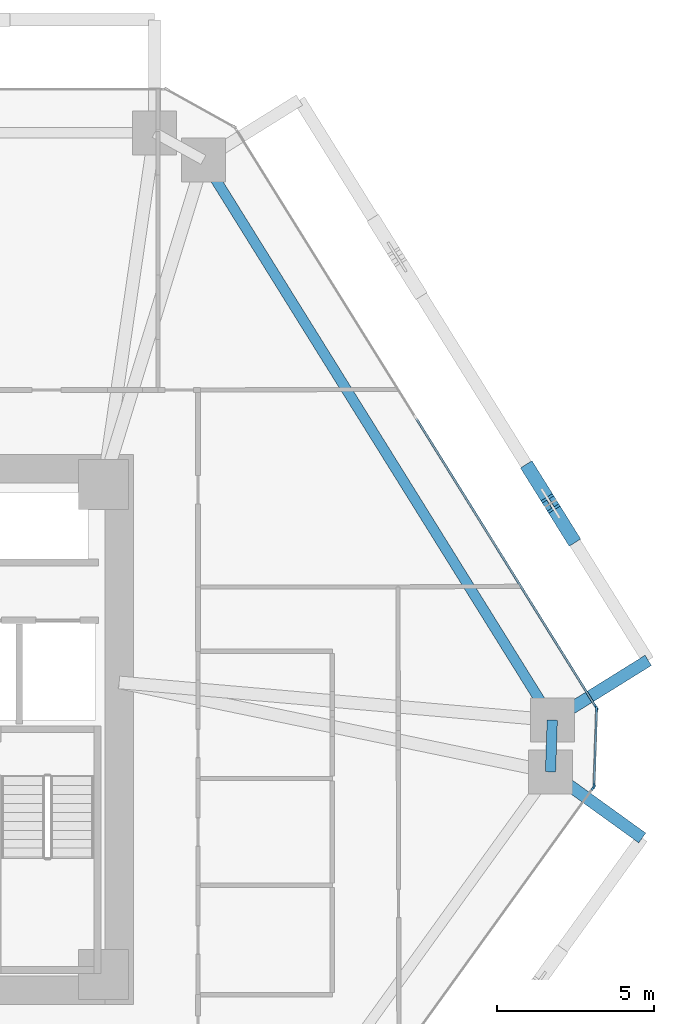
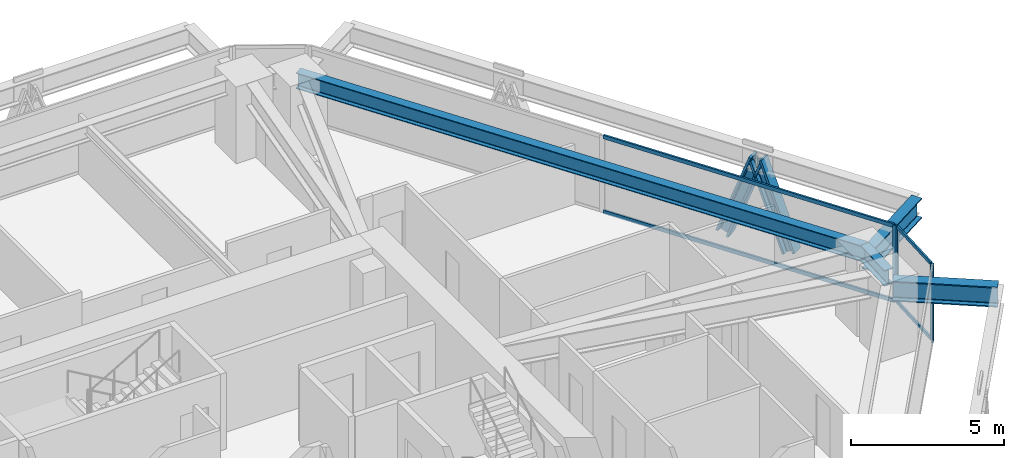
# One storey, part 6 of 17: 10 members, 4 beams, 3 elements without a shape of their own.
"""IFC4 building model written with IfcOpenShell, lengths in metres."""

import ifcopenshell
import ifcopenshell.guid

model = None  # the IFC model being written
_history = None  # IfcOwnerHistory: only IFC2X3 demands one
_inside = {}  # id of a spatial element -> (the spatial element, [elements in it])
_under = {}  # id of a project, library or spatial element -> (it, [spatial elements below it])
_declared = {}  # id of a project -> (the project, [libraries it declares])
_typed = {}  # id of a type object -> (the type object, [elements of that type])
_made_of = {}  # id of a material, layer set ... -> (it, [elements and type objects made of it])


def new_model(schema):
    """Start an empty IFC model of exactly this schema.

    Asked for "IFC4X3", IfcOpenShell would pick the latest addendum, in which some entities
    have other attributes; the version numbers below select the first issue.
    IFC2X3 requires an IfcOwnerHistory on every rooted entity: one is made here for all.
    """
    global model, _history
    if schema == "IFC4X3":
        model = ifcopenshell.file(schema_version=(4, 3, 0, 0))
    else:
        model = ifcopenshell.file(schema=schema)
    _inside.clear()
    _under.clear()
    _declared.clear()
    _typed.clear()
    _made_of.clear()
    _history = None
    if model.schema == "IFC2X3":
        org = make("IfcOrganization", Name="unknown")
        user = make(
            "IfcPersonAndOrganization",
            ThePerson=make("IfcPerson", FamilyName="unknown"),
            TheOrganization=org,
        )
        app = make(
            "IfcApplication",
            ApplicationDeveloper=org,
            Version="unknown",
            ApplicationFullName="unknown",
            ApplicationIdentifier="unknown",
        )
        _history = make(
            "IfcOwnerHistory",
            OwningUser=user,
            OwningApplication=app,
            ChangeAction="ADDED",
            CreationDate=0,
        )
    return model


def make(cls, **values):
    """One entity of the class cls with the attributes given. An attribute that is None is left unset."""
    return model.create_entity(
        cls, **{name: value for name, value in values.items() if value is not None}
    )


def rooted(cls, **values):
    """An entity with a GlobalId (a new one), such as an element, a storey or a relation."""
    return make(cls, GlobalId=ifcopenshell.guid.new(), OwnerHistory=_history, **values)


def si_unit(unit_type, name, prefix=None):
    """IfcSIUnit, for example si_unit("LENGTHUNIT", "METRE", prefix="MILLI")."""
    return make("IfcSIUnit", UnitType=unit_type, Prefix=prefix, Name=name)


def assignment(units):
    """IfcUnitAssignment: the units of a project."""
    return None if units is None else make("IfcUnitAssignment", Units=units)


def point(xyz):
    """IfcCartesianPoint."""
    return None if xyz is None else make("IfcCartesianPoint", Coordinates=xyz)


def direction(xyz):
    """IfcDirection."""
    return None if xyz is None else make("IfcDirection", DirectionRatios=xyz)


def frame(location, z_axis=None, x_axis=None):
    """IfcAxis2Placement3D, a coordinate frame: its origin and axes. An axis left out is left unset."""
    return make(
        "IfcAxis2Placement3D",
        Location=point(location),
        Axis=direction(z_axis),
        RefDirection=direction(x_axis),
    )


def frame_2d(location, x_axis=None):
    """IfcAxis2Placement2D, a coordinate frame in the plane: its origin and x axis."""
    return make(
        "IfcAxis2Placement2D", Location=point(location), RefDirection=direction(x_axis)
    )


def origin():
    """The frame at (0, 0, 0) with its axes left unset."""
    return frame((0.0, 0.0, 0.0))


def origin_2d():
    """The frame at (0, 0) in the plane with its x axis left unset."""
    return frame_2d((0.0, 0.0))


def place(relative_to, where):
    """IfcLocalPlacement: puts the frame where relative to a parent placement (None: the world)."""
    return make(
        "IfcLocalPlacement", PlacementRelTo=relative_to, RelativePlacement=where
    )


def context(
    kind, dimensions, precision=None, world=None, true_north=None, identifier=None
):
    """IfcGeometricRepresentationContext, for example the 3D "Model" context."""
    return make(
        "IfcGeometricRepresentationContext",
        ContextIdentifier=identifier,
        ContextType=kind,
        CoordinateSpaceDimension=dimensions,
        Precision=precision,
        WorldCoordinateSystem=world,
        TrueNorth=true_north,
    )


def subcontext(parent, identifier, kind, view, scale=None):
    """IfcGeometricRepresentationSubContext, for example "Body" below "Model"."""
    return make(
        "IfcGeometricRepresentationSubContext",
        ContextIdentifier=identifier,
        ContextType=kind,
        ParentContext=parent,
        TargetScale=scale,
        TargetView=view,
    )


def project(units=None, contexts=None):
    """IfcProject with its units and contexts."""
    return rooted(
        "IfcProject",
        Name="project",
        RepresentationContexts=contexts,
        UnitsInContext=assignment(units),
    )


def spatial(cls, under=None, at=None, **own):
    """A site, building, storey or space (cls), placed at a placement, below another one or the project."""
    s = rooted(cls, ObjectPlacement=at, **own)
    if under is not None:
        _under.setdefault(under.id(), (under, []))[1].append(s)
    return s


def profile(cls, at=None, kind="AREA", **sizes):
    """A parametric profile (cls). Its sizes go by their IFC names, for example OverallWidth=200.0."""
    return make(cls, ProfileType=kind, Position=at, **sizes)


def rectangle(**sizes):
    """IfcRectangleProfileDef."""
    return profile("IfcRectangleProfileDef", **sizes)


def i_section(**sizes):
    """IfcIShapeProfileDef."""
    return profile("IfcIShapeProfileDef", **sizes)


def extrude(swept, where, along, depth):
    """IfcExtrudedAreaSolid: the profile swept, set in the frame where, extruded along a direction by depth."""
    return make(
        "IfcExtrudedAreaSolid",
        SweptArea=swept,
        Position=where,
        ExtrudedDirection=direction(along),
        Depth=depth,
    )


def shape(context_of_items, identifier, shape_type, items):
    """IfcShapeRepresentation: the items that make up one representation, for example the "Body"."""
    return make(
        "IfcShapeRepresentation",
        ContextOfItems=context_of_items,
        RepresentationIdentifier=identifier,
        RepresentationType=shape_type,
        Items=items,
    )


def source(mapping_origin, context_of_items, identifier, shape_type, items):
    """IfcRepresentationMap: a shape defined once, which mapped items show again and again."""
    return make(
        "IfcRepresentationMap",
        MappingOrigin=mapping_origin,
        MappedRepresentation=shape(context_of_items, identifier, shape_type, items),
    )


def transform(
    local_origin,
    x_axis=None,
    y_axis=None,
    z_axis=None,
    scale=None,
    scale2=None,
    scale3=None,
    uniform=True,
):
    """IfcCartesianTransformationOperator3D, or its non-uniform kind. x_axis, y_axis, z_axis: its Axis1, 2, 3."""
    if uniform:
        return make(
            "IfcCartesianTransformationOperator3D",
            Axis1=direction(x_axis),
            Axis2=direction(y_axis),
            LocalOrigin=point(local_origin),
            Scale=scale,
            Axis3=direction(z_axis),
        )
    return make(
        "IfcCartesianTransformationOperator3DnonUniform",
        Axis1=direction(x_axis),
        Axis2=direction(y_axis),
        LocalOrigin=point(local_origin),
        Scale=scale,
        Axis3=direction(z_axis),
        Scale2=scale2,
        Scale3=scale3,
    )


def mapped(mapping_source, mapping_target):
    """IfcMappedItem: shows the shape of a source again, moved by a transform."""
    return make(
        "IfcMappedItem", MappingSource=mapping_source, MappingTarget=mapping_target
    )


def material(Name=None, Category=None):
    """IfcMaterial."""
    return make("IfcMaterial", Name=Name, Category=Category)


def layer(
    of_material, thickness, ventilated=None, Name=None, Category=None, Priority=None
):
    """IfcMaterialLayer: one layer of a wall or slab, of a material (None: an air gap)."""
    return make(
        "IfcMaterialLayer",
        Material=of_material,
        LayerThickness=thickness,
        IsVentilated=ventilated,
        Name=Name,
        Category=Category,
        Priority=Priority,
    )


def layer_set(layers, Name=None):
    """IfcMaterialLayerSet."""
    return make("IfcMaterialLayerSet", MaterialLayers=layers, LayerSetName=Name)


def material_profile(
    of_material, cross_section, Name=None, Category=None, Priority=None
):
    """IfcMaterialProfile: a cross section and its material."""
    return make(
        "IfcMaterialProfile",
        Name=Name,
        Material=of_material,
        Profile=cross_section,
        Priority=Priority,
        Category=Category,
    )


def profile_set(profiles, Name=None, composite=None):
    """IfcMaterialProfileSet."""
    return make(
        "IfcMaterialProfileSet",
        Name=Name,
        MaterialProfiles=profiles,
        CompositeProfile=composite,
    )


def made_of(thing, what):
    """Note that an element or type object is made of a material, layer set ...; save() writes the relation."""
    if what is not None:
        _made_of.setdefault(what.id(), (what, []))[1].append(thing)
    return thing


def type_object(cls, material=None, **own):
    """A type object (cls), such as IfcWallType, which elements share."""
    return made_of(rooted(cls, **own), material)


def type_shapes(of_type, sources):
    """Give a type object the sources (RepresentationMaps) that its elements show as mapped items."""
    of_type.RepresentationMaps = sources


def element(
    cls,
    number,
    at=None,
    inside=None,
    cuts=None,
    type_object=None,
    material=None,
    context=None,
    identifier="Body",
    shape_type=None,
    held_by="IfcProductDefinitionShape",
    body=None,
    shapes=None,
    **own,
):
    """One element of the class cls, such as IfcWall. Its Tag is "e" and its number.

    at: its placement. inside: the storey or other place that contains it. cuts: it is an
    opening in that element (IfcRelVoidsElement). A single representation is given by context,
    identifier, shape_type and body (its items); several are given by shapes. held_by: the class
    of the entity that holds the representations. save() writes the other relations.
    """
    e = rooted(cls, Tag="e%d" % number, ObjectPlacement=at, **own)
    if body is not None:
        shapes = [shape(context, identifier, shape_type, body)]
    if shapes is not None:
        e.Representation = make(held_by, Representations=shapes)
    if inside is not None:
        _inside.setdefault(inside.id(), (inside, []))[1].append(e)
    if cuts is not None:
        rooted(
            "IfcRelVoidsElement", RelatingBuildingElement=cuts, RelatedOpeningElement=e
        )
    if type_object is not None:
        _typed.setdefault(type_object.id(), (type_object, []))[1].append(e)
    return made_of(e, material)


def aggregate(whole, parts):
    """IfcRelAggregates: a whole, such as a stair, and the parts it consists of."""
    return rooted("IfcRelAggregates", RelatingObject=whole, RelatedObjects=parts)


def save(model, path):
    """Write the relations noted so far, then the file.

    IfcRelAggregates (storeys below a building ...), IfcRelContainedInSpatialStructure (elements
    in a storey), IfcRelDefinesByType, IfcRelAssociatesMaterial and IfcRelDeclares: one each for
    every whole, place, type object, material and project.
    """
    for whole, parts in _under.values():
        aggregate(whole, parts)
    for where, things in _inside.values():
        rooted(
            "IfcRelContainedInSpatialStructure",
            RelatedElements=things,
            RelatingStructure=where,
        )
    for kind, things in _typed.values():
        rooted("IfcRelDefinesByType", RelatedObjects=things, RelatingType=kind)
    for what, things in _made_of.values():
        rooted("IfcRelAssociatesMaterial", RelatedObjects=things, RelatingMaterial=what)
    for by, libraries in _declared.values():
        rooted("IfcRelDeclares", RelatingContext=by, RelatedDefinitions=libraries)
    model.write(path)


model = new_model("IFC4")

# Units and contexts
model_context = context("Model", 3, precision=1e-05, world=origin(), true_north=direction((0.0, 1.0)))
body_context = subcontext(model_context, "Body", "Model", "MODEL_VIEW")
ifc_project = project(units=[si_unit("LENGTHUNIT", "METRE"), si_unit("AREAUNIT", "SQUARE_METRE"), si_unit("VOLUMEUNIT", "CUBIC_METRE"), si_unit("PLANEANGLEUNIT", "RADIAN"), si_unit("MASSUNIT", "GRAM", prefix="KILO")], contexts=[model_context])

# Site, building, storey
site_placement = place(None, origin())
site = spatial("IfcSite", under=ifc_project, at=site_placement, CompositionType="ELEMENT")
building_placement = place(site_placement, origin())
building = spatial("IfcBuilding", under=site, at=building_placement, Name="Durnholm Broadcast Tower", CompositionType="ELEMENT")
storey_placement = place(building_placement, frame((0.0, 0.0, 72.0)))
storey = spatial("IfcBuildingStorey", under=building, at=storey_placement, Name="L18", CompositionType="ELEMENT", Elevation=72.0)

# Beams
ifc_material_1 = material(Name="Steel ASTM A992 Grade 50", Category="steel")
ifc_material_profile_1 = material_profile(ifc_material_1, i_section(OverallWidth=0.3291015625, OverallDepth=0.635009765625, WebThickness=0.017822265625, FlangeThickness=0.031005859375, FilletRadius=0.02783203125, at=origin_2d()), Name="W24X162")
ifc_profile_set_1 = profile_set([ifc_material_profile_1], Name="Steel ASTM A992 Grade 50")
beam_type_1 = type_object("IfcBeamType", Name="STL-SP-W24X162", PredefinedType="SPANDREL", material=ifc_profile_set_1)
shared_shape_1 = source(origin(), body_context, "Body", "SweptSolid", [
    extrude(i_section(OverallWidth=0.3291015625, OverallDepth=0.635009765625, WebThickness=0.017822265625, FlangeThickness=0.031005859375, FilletRadius=0.02783203125, at=origin_2d()), origin(), (0.0, 0.0, 1.0), 21.014404296875),
])
beam_1_placement = place(storey_placement, frame((12.982666015625, 18.138427734375, 2.7275390625), z_axis=(0.528595731543, -0.848873696491, 0.0), x_axis=(0.848873696491, 0.528595731543, 0.0)))
element("IfcBeam", 1, at=beam_1_placement, inside=storey, type_object=beam_type_1, Name="L18 perimeter spandrel girder 07", PredefinedType="SPANDREL", context=body_context, shape_type="MappedRepresentation", body=[
    mapped(shared_shape_1, transform((0.0, 0.0, 0.0), x_axis=(1.0, 0.0, 0.0), y_axis=(0.0, 1.0, 0.0), z_axis=(0.0, 0.0, 1.0), scale=1.0)),
])
shared_shape_2 = source(origin(), body_context, "Body", "SweptSolid", [
    extrude(i_section(OverallWidth=0.3291015625, OverallDepth=0.635009765625, WebThickness=0.017822265625, FlangeThickness=0.031005859375, FilletRadius=0.02783203125, at=origin_2d()), origin(), (0.0, 0.0, 1.0), 1.648193359375),
])
type_shapes(beam_type_1, [shared_shape_1, shared_shape_2])
beam_2_placement = place(storey_placement, frame((24.0908203125, 0.2998046875, 2.7275390625), z_axis=(-0.033921477804, -0.999424501072, 0.0), x_axis=(0.999424501072, -0.033921477804, 0.0)))
element("IfcBeam", 2, at=beam_2_placement, inside=storey, type_object=beam_type_1, Name="L18 perimeter spandrel girder 08", PredefinedType="SPANDREL", context=body_context, shape_type="MappedRepresentation", body=[
    mapped(shared_shape_2, transform((0.0, 0.0, 0.0), x_axis=(1.0, 0.0, 0.0), y_axis=(0.0, 1.0, 0.0), z_axis=(0.0, 0.0, 1.0), scale=1.0)),
])
ifc_material_profile_2 = material_profile(ifc_material_1, i_section(OverallWidth=0.385009765625, OverallDepth=0.802978515625, WebThickness=0.023681640625, FlangeThickness=0.0419921875, FilletRadius=0.032958984375, at=origin_2d()), Name="W30X261")
ifc_profile_set_2 = profile_set([ifc_material_profile_2], Name="Steel ASTM A992 Grade 50")
beam_type_2 = type_object("IfcBeamType", Name="BM-EXO-TIE", PredefinedType="USERDEFINED", material=ifc_profile_set_2)
shared_shape_3 = source(origin(), body_context, "Body", "SweptSolid", [
    extrude(i_section(OverallWidth=0.385009765625, OverallDepth=0.802978515625, WebThickness=0.023681640625, FlangeThickness=0.0419921875, FilletRadius=0.032958984375, at=origin_2d()), origin(), (0.0, 0.0, 1.0), 3.4560546875),
])
beam_3_placement = place(storey_placement, frame((24.212890625, 0.375732421875, 2.30859375), z_axis=(0.848874183218, 0.528594949906, 0.0), x_axis=(-0.528594949906, 0.848874183218, 0.0)))
element("IfcBeam", 3, at=beam_3_placement, inside=storey, type_object=beam_type_2, Name="L18 exoskeleton stand-off tie bracket F3.1", ObjectType="GIRDER", PredefinedType="USERDEFINED", context=body_context, shape_type="MappedRepresentation", body=[
    mapped(shared_shape_3, transform((0.0, 0.0, 0.0), x_axis=(1.0, 0.0, 0.0), y_axis=(0.0, 1.0, 0.0), z_axis=(0.0, 0.0, 1.0), scale=1.0)),
])
shared_shape_4 = source(origin(), body_context, "Body", "SweptSolid", [
    extrude(i_section(OverallWidth=0.385009765625, OverallDepth=0.802978515625, WebThickness=0.023681640625, FlangeThickness=0.0419921875, FilletRadius=0.032958984375, at=origin_2d()), origin(), (0.0, 0.0, 1.0), 3.455810546875),
])
type_shapes(beam_type_2, [shared_shape_3, shared_shape_4])
beam_4_placement = place(storey_placement, frame((24.15185546875, -1.431396484375, 2.30859375), z_axis=(0.811133512552, -0.584861030344, 0.0), x_axis=(0.584861030344, 0.811133512552, 0.0)))
element("IfcBeam", 4, at=beam_4_placement, inside=storey, type_object=beam_type_2, Name="L18 exoskeleton stand-off tie bracket F2.2", ObjectType="GIRDER", PredefinedType="USERDEFINED", context=body_context, shape_type="MappedRepresentation", body=[
    mapped(shared_shape_4, transform((0.0, 0.0, 0.0), x_axis=(1.0, 0.0, 0.0), y_axis=(0.0, 1.0, 0.0), z_axis=(0.0, 0.0, 1.0), scale=1.0)),
])

# Members
ifc_material_2 = material(Name="Steel ASTM A913 Grade 65", Category="steel")
ifc_material_profile_3 = material_profile(ifc_material_2, i_section(OverallWidth=0.43212890625, OverallDepth=0.497802734375, WebThickness=0.0556640625, FlangeThickness=0.0888671875, FilletRadius=0.030517578125, at=origin_2d()), Name="W14X500")
ifc_profile_set_3 = profile_set([ifc_material_profile_3], Name="Steel ASTM A913 Grade 65")
member_type_1 = type_object("IfcMemberType", Name="STL-DG-W14X500", PredefinedType="BRACE", material=ifc_profile_set_3)
shared_shape_5 = source(origin(), body_context, "Body", "SweptSolid", [
    extrude(i_section(OverallWidth=0.43212890625, OverallDepth=0.497802734375, WebThickness=0.0556640625, FlangeThickness=0.0888671875, FilletRadius=0.030517578125, at=origin_2d()), origin(), (0.0, 0.0, 1.0), 3.523193359375),
])
type_shapes(member_type_1, [shared_shape_5])
for number, where, z_axis, x_axis, name in (
    (5, (24.688720703125, 6.150146484375, -0.991455078125), (-0.185157304084, 0.297277258428, 0.936665897941), (-0.848819847179, -0.528682198523, 0.0), "L18 stand-off diagrid brace F3.D1.1"),
    (6, (23.38427734375, 8.244873046875, -0.991455078125), (0.185090383068, -0.297281072018, 0.936677913861), (0.848908635391, 0.528539618911, 0.0), "L18 stand-off diagrid brace F3.D1.2"),
):
    element("IfcMember", number, at=place(storey_placement, frame(where, z_axis=z_axis, x_axis=x_axis)), inside=storey, type_object=member_type_1, Name=name, PredefinedType="BRACE", context=body_context, shape_type="MappedRepresentation", body=[
        mapped(shared_shape_5, transform((0.0, 0.0, 0.0), x_axis=(1.0, 0.0, 0.0), y_axis=(0.0, 1.0, 0.0), z_axis=(0.0, 0.0, 1.0), scale=1.0)),
    ])

# Curtain wall, members
ifc_material_3 = material(Name="Aluminium and Solar Control IGU", Category="aluminium")
ifc_layer_1 = layer(ifc_material_3, 0.1650390625)
ifc_layer_set_1 = layer_set([ifc_layer_1], Name="Aluminium and Solar Control IGU")
curtain_wall_type_1 = type_object("IfcCurtainWallType", Name="CW-SYS-5", PredefinedType="NOTDEFINED", material=ifc_layer_set_1)
curtain_wall_1_placement = place(storey_placement, origin())
curtain_wall_1 = element("IfcCurtainWall", 7, at=curtain_wall_1_placement, inside=storey, type_object=curtain_wall_type_1, Name="L18 curtain wall CW-CORNER CW-L18-CRN-07", PredefinedType="NOTDEFINED")
ifc_material_4 = material(Name="Aluminium 6063-T6", Category="aluminium")
ifc_material_profile_4 = material_profile(ifc_material_4, rectangle(XDim=0.06494140625, YDim=0.1650390625, at=origin_2d()), Name="CWM65X165")
ifc_profile_set_4 = profile_set([ifc_material_profile_4], Name="Aluminium 6063-T6")
member_type_2 = type_object("IfcMemberType", Name="CW-SYS-5-MUL", PredefinedType="MULLION", material=ifc_profile_set_4)
shared_shape_6 = source(origin(), body_context, "Body", "SweptSolid", [
    extrude(rectangle(XDim=0.06494140625, YDim=0.1650390625, at=origin_2d()), origin(), (0.0, 0.0, 1.0), 3.06005859375),
])
type_shapes(member_type_2, [shared_shape_6])
member_1_placement = place(storey_placement, frame((25.50341796875, 0.6455078125, 0.0), z_axis=(0.0, 0.0, 1.0), x_axis=(0.999427277772, -0.033839569233, 0.0)))
member_1 = element("IfcMember", 8, at=member_1_placement, type_object=member_type_2, Name="CW-CORNER mullion 1", PredefinedType="MULLION", context=body_context, shape_type="MappedRepresentation", body=[
    mapped(shared_shape_6, transform((0.0, 0.0, 0.0), x_axis=(1.0, 0.0, 0.0), y_axis=(0.0, 1.0, 0.0), z_axis=(0.0, 0.0, 1.0), scale=1.0)),
])
member_2_placement = place(storey_placement, frame((25.4208984375, -1.7880859375, 0.0), z_axis=(0.0, 0.0, 1.0), x_axis=(0.999427277772, -0.033839569233, 0.0)))
member_2 = element("IfcMember", 9, at=member_2_placement, type_object=member_type_2, Name="CW-CORNER mullion 2", PredefinedType="MULLION", context=body_context, shape_type="MappedRepresentation", body=[
    mapped(shared_shape_6, transform((0.0, 0.0, 0.0), x_axis=(1.0, 0.0, 0.0), y_axis=(0.0, 1.0, 0.0), z_axis=(0.0, 0.0, 1.0), scale=1.0)),
])
ifc_material_profile_5 = material_profile(ifc_material_4, rectangle(XDim=0.06494140625, YDim=0.1298828125, at=origin_2d()), Name="CWT65X130")
ifc_profile_set_5 = profile_set([ifc_material_profile_5], Name="Aluminium 6063-T6")
member_type_3 = type_object("IfcMemberType", Name="CW-SYS-5-TRN", PredefinedType="USERDEFINED", material=ifc_profile_set_5)
shared_shape_7 = source(origin(), body_context, "Body", "SweptSolid", [
    extrude(rectangle(XDim=0.06494140625, YDim=0.1298828125, at=origin_2d()), origin(), (0.0, 0.0, 1.0), 2.3701171875),
])
type_shapes(member_type_3, [shared_shape_7])
member_3_placement = place(storey_placement, frame((25.502197265625, 0.613037109375, 0.032470703125), z_axis=(-0.033788158898, -0.999429017148, 0.0), x_axis=(0.999429017148, -0.033788158898, 0.0)))
member_3 = element("IfcMember", 10, at=member_3_placement, type_object=member_type_3, Name="CW-CORNER transom 1.1", ObjectType="TRANSOM", PredefinedType="USERDEFINED", context=body_context, shape_type="MappedRepresentation", body=[
    mapped(shared_shape_7, transform((0.0, 0.0, 0.0), x_axis=(1.0, 0.0, 0.0), y_axis=(0.0, 1.0, 0.0), z_axis=(0.0, 0.0, 1.0), scale=1.0)),
])
member_4_placement = place(storey_placement, frame((25.502197265625, 0.613037109375, 3.027587890625), z_axis=(-0.033788158898, -0.999429017148, 0.0), x_axis=(0.999429017148, -0.033788158898, 0.0)))
member_4 = element("IfcMember", 11, at=member_4_placement, type_object=member_type_3, Name="CW-CORNER transom 1.2", ObjectType="TRANSOM", PredefinedType="USERDEFINED", context=body_context, shape_type="MappedRepresentation", body=[
    mapped(shared_shape_7, transform((0.0, 0.0, 0.0), x_axis=(1.0, 0.0, 0.0), y_axis=(0.0, 1.0, 0.0), z_axis=(0.0, 0.0, 1.0), scale=1.0)),
])
aggregate(curtain_wall_1, [member_1, member_2, member_3, member_4])

# Curtain wall, member
ifc_layer_2 = layer(ifc_material_3, 0.18994140625)
ifc_layer_set_2 = layer_set([ifc_layer_2], Name="Aluminium and Solar Control IGU")
curtain_wall_type_2 = type_object("IfcCurtainWallType", Name="CW-SYS-3", PredefinedType="NOTDEFINED", material=ifc_layer_set_2)
curtain_wall_2_placement = place(storey_placement, origin())
curtain_wall_2 = element("IfcCurtainWall", 12, at=curtain_wall_2_placement, inside=storey, type_object=curtain_wall_type_2, Name="L18 curtain wall CW-Z12-VIS CW-L18-F06", PredefinedType="NOTDEFINED")
ifc_material_profile_6 = material_profile(ifc_material_4, rectangle(XDim=0.070068359375, YDim=0.18994140625, at=origin_2d()), Name="CWM70X190")
ifc_profile_set_6 = profile_set([ifc_material_profile_6], Name="Aluminium 6063-T6")
member_type_4 = type_object("IfcMemberType", Name="CW-SYS-3-MUL", PredefinedType="MULLION", material=ifc_profile_set_6)
shared_shape_8 = source(origin(), body_context, "Body", "SweptSolid", [
    extrude(rectangle(XDim=0.070068359375, YDim=0.18994140625, at=origin_2d()), origin(), (0.0, 0.0, 1.0), 3.06005859375),
])
type_shapes(member_type_4, [shared_shape_8])
member_5_placement = place(storey_placement, frame((25.48583984375, 0.707763671875, 0.0), z_axis=(0.0, 0.0, 1.0), x_axis=(0.848875785503, 0.528592376777, 0.0)))
member_5 = element("IfcMember", 13, at=member_5_placement, type_object=member_type_4, Name="CW-Z12-VIS mullion 3", PredefinedType="MULLION", context=body_context, shape_type="MappedRepresentation", body=[
    mapped(shared_shape_8, transform((0.0, 0.0, 0.0), x_axis=(1.0, 0.0, 0.0), y_axis=(0.0, 1.0, 0.0), z_axis=(0.0, 0.0, 1.0), scale=1.0)),
])

curtain_wall_3_placement = place(storey_placement, origin())
curtain_wall_3 = element("IfcCurtainWall", 14, at=curtain_wall_3_placement, inside=storey, type_object=curtain_wall_type_2, Name="L18 curtain wall CW-Z12-VIS CW-L18-F08", PredefinedType="NOTDEFINED")
member_6_placement = place(storey_placement, frame((25.3994140625, -1.848876953125, 0.0), z_axis=(0.0, 0.0, 1.0), x_axis=(0.81116057493, -0.584823496176, 0.0)))
member_6 = element("IfcMember", 15, at=member_6_placement, type_object=member_type_4, Name="CW-Z12-VIS mullion 1", PredefinedType="MULLION", context=body_context, shape_type="MappedRepresentation", body=[
    mapped(shared_shape_8, transform((0.0, 0.0, 0.0), x_axis=(1.0, 0.0, 0.0), y_axis=(0.0, 1.0, 0.0), z_axis=(0.0, 0.0, 1.0), scale=1.0)),
])
aggregate(curtain_wall_3, [member_6])

# Member
ifc_material_profile_7 = material_profile(ifc_material_4, rectangle(XDim=0.070068359375, YDim=0.14990234375, at=origin_2d()), Name="CWT70X150")
ifc_profile_set_7 = profile_set([ifc_material_profile_7], Name="Aluminium 6063-T6")
member_type_5 = type_object("IfcMemberType", Name="CW-SYS-3-TRN", PredefinedType="USERDEFINED", material=ifc_profile_set_7)
shared_shape_9 = source(origin(), body_context, "Body", "SweptSolid", [
    extrude(rectangle(XDim=0.070068359375, YDim=0.14990234375, at=origin_2d()), origin(), (0.0, 0.0, 1.0), 10.796630859375),
])
type_shapes(member_type_5, [shared_shape_9])
member_7_placement = place(storey_placement, frame((19.760498046875, 9.902587890625, 0.034912109375), z_axis=(0.528575362968, -0.848886379714, 0.0), x_axis=(0.848886379714, 0.528575362968, 0.0)))
member_7 = element("IfcMember", 16, at=member_7_placement, type_object=member_type_5, Name="CW-Z12-VIS transom 2.1", ObjectType="TRANSOM", PredefinedType="USERDEFINED", context=body_context, shape_type="MappedRepresentation", body=[
    mapped(shared_shape_9, transform((0.0, 0.0, 0.0), x_axis=(1.0, 0.0, 0.0), y_axis=(0.0, 1.0, 0.0), z_axis=(0.0, 0.0, 1.0), scale=1.0)),
])

member_8_placement = place(storey_placement, frame((19.760498046875, 9.902587890625, 3.02490234375), z_axis=(0.528575362968, -0.848886379714, 0.0), x_axis=(0.848886379714, 0.528575362968, 0.0)))
member_8 = element("IfcMember", 17, at=member_8_placement, type_object=member_type_5, Name="CW-Z12-VIS transom 2.2", ObjectType="TRANSOM", PredefinedType="USERDEFINED", context=body_context, shape_type="MappedRepresentation", body=[
    mapped(shared_shape_9, transform((0.0, 0.0, 0.0), x_axis=(1.0, 0.0, 0.0), y_axis=(0.0, 1.0, 0.0), z_axis=(0.0, 0.0, 1.0), scale=1.0)),
])

aggregate(curtain_wall_2, [member_5, member_7, member_8])

save(model, "model.ifc")
